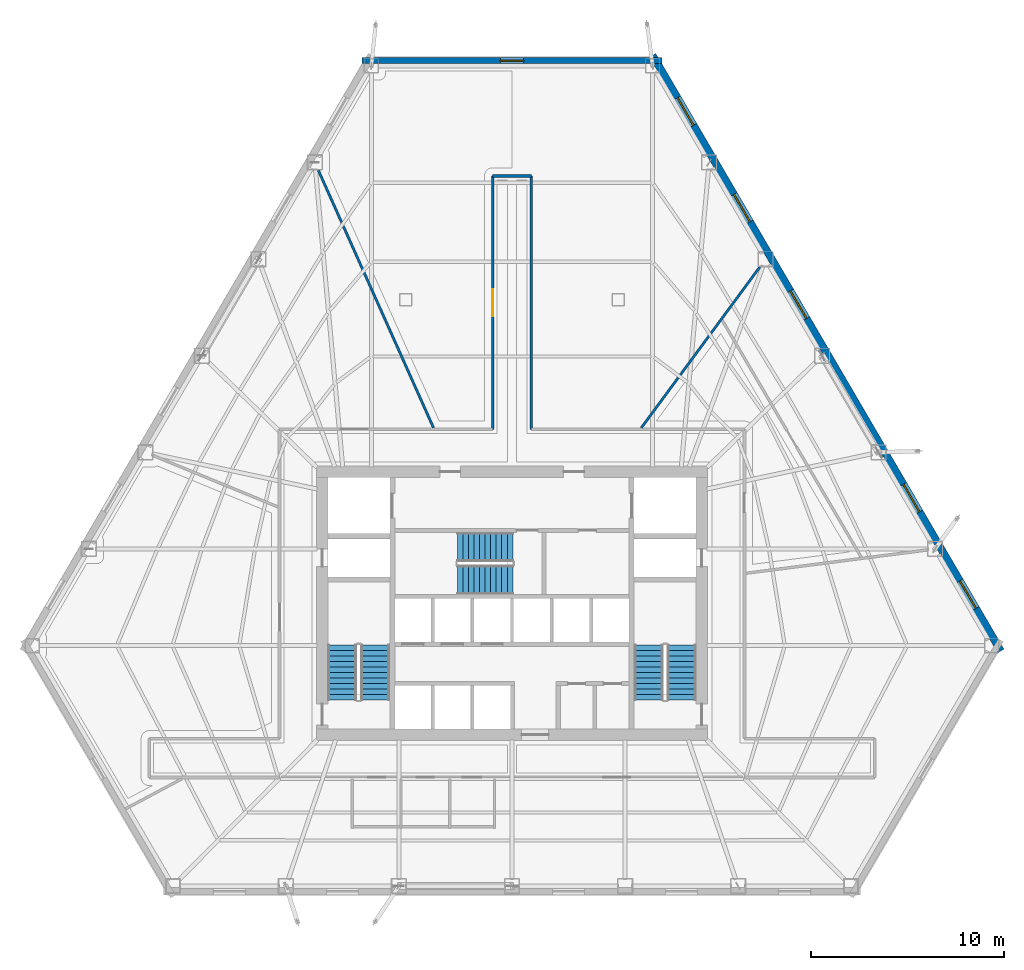
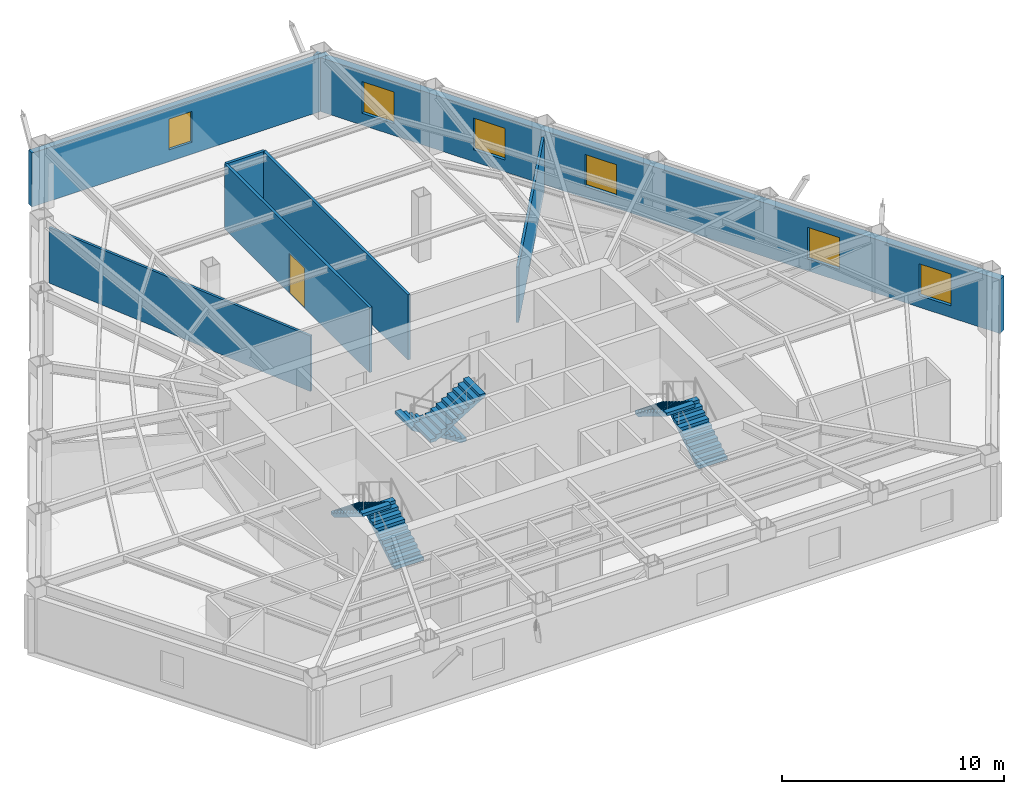
# One storey, part 9 of 13: 7 walls, 6 stair flights, 6 windows, 1 door, 7 openings, 3 elements without a shape of their own.
"""IFC4 building model written with IfcOpenShell, lengths in metres."""

from ifc_helpers import new_model, si_unit, direction, frame, frame_2d, origin, place, context, subcontext, project, spatial, polyline, rectangle, outline, extrude, material, layer, layer_set, type_object, element, fill, aggregate, save


model = new_model("IFC4")

# Units and contexts
model_context = context("Model", 3, precision=1e-05, world=origin(), true_north=direction((0.0, 1.0)))
body_context = subcontext(model_context, "Body", "Model", "MODEL_VIEW")
ifc_project = project(units=[si_unit("LENGTHUNIT", "METRE"), si_unit("AREAUNIT", "SQUARE_METRE"), si_unit("VOLUMEUNIT", "CUBIC_METRE"), si_unit("PLANEANGLEUNIT", "RADIAN"), si_unit("MASSUNIT", "GRAM", prefix="KILO")], contexts=[model_context])

# Site, building, storey
site_placement = place(None, origin())
site = spatial("IfcSite", under=ifc_project, at=site_placement, CompositionType="ELEMENT")
building_placement = place(site_placement, origin())
building = spatial("IfcBuilding", under=site, at=building_placement, Name="Kavelnor Concourse Tower", CompositionType="ELEMENT")
storey_placement = place(building_placement, frame((0.0, 0.0, 59.89990234375)))
storey = spatial("IfcBuildingStorey", under=building, at=storey_placement, Name="L15", CompositionType="ELEMENT", Elevation=59.89990234375)

# Wall, opening, window
ifc_material_1 = material(Name="Buff ironspot clay face brick masonry", Category="masonry")
ifc_layer_1 = layer(ifc_material_1, 0.300048828125, Name="Buff ironspot clay face brick masonry")
ifc_layer_set_1 = layer_set([ifc_layer_1], Name="Buff ironspot clay face brick masonry")
wall_type_1 = type_object("IfcWallType", Name="WL-EXT-BUFF-BRICK-FOLD-300", PredefinedType="STANDARD", material=ifc_layer_set_1)
wall_1_placement = place(storey_placement, frame((30.251220703125, 44.163818359375, 0.0), z_axis=(0.0, 0.0, 1.0), x_axis=(1.0, 0.0, 0.0)))
wall_1 = element("IfcWall", 1, at=wall_1_placement, inside=storey, type_object=wall_type_1, Name="L15 Exterior Brick Facade Wall E0", PredefinedType="STANDARD", context=body_context, shape_type="SweptSolid", body=[
    extrude(rectangle(XDim=15.49755859375, YDim=0.300048828125, at=frame_2d((7.748779296875, 0.0))), origin(), (0.0, 0.0, 1.0), 2.97021484375),
])
opening_1_placement = place(wall_1_placement, frame((7.148681640625, 0.0, 0.64990234375)))
opening_1 = element("IfcOpeningElement", 2, at=opening_1_placement, cuts=wall_1, Name="Opening W-05", PredefinedType="OPENING", context=body_context, shape_type="SweptSolid", body=[
    extrude(rectangle(XDim=1.199951171875, YDim=1.699951171875, at=frame_2d((0.60009765625, 0.85009765625))), frame((0.0, 0.16015625, 0.0), z_axis=(0.0, -1.0, 0.0), x_axis=(1.0, 0.0, 0.0)), (0.0, 0.0, 1.0), 0.320068359375),
])
ifc_material_2 = material(Name="Double low-E argon insulated glazing", Category="glass")
window_type_1 = type_object("IfcWindowType", Name="WIN-FOLD-1200", PartitioningType="SINGLE_PANEL", PredefinedType="WINDOW", material=ifc_material_2)
window_1_placement = place(opening_1_placement, origin())
window_1 = element("IfcWindow", 3, at=window_1_placement, inside=storey, type_object=window_type_1, Name="L15 Chamfer-Fold Facet Window C0", OverallHeight=1.699951171875, OverallWidth=1.199951171875, PartitioningType="SINGLE_PANEL", PredefinedType="WINDOW", context=body_context, shape_type="SweptSolid", body=[
    extrude(rectangle(XDim=1.199951171875, YDim=1.699951171875, at=frame_2d((0.60009765625, 0.85009765625))), frame((0.0, 0.030029296875, 0.0), z_axis=(0.0, -1.0, 0.0), x_axis=(1.0, 0.0, 0.0)), (0.0, 0.0, 1.0), 0.06005859375),
])
fill(opening_1, window_1)

# Wall, openings, windows
ifc_material_3 = material(Name="Red-ochre clay face brick masonry", Category="masonry")
ifc_layer_2 = layer(ifc_material_3, 0.3798828125, Name="Red-ochre clay face brick masonry")
ifc_layer_set_2 = layer_set([ifc_layer_2], Name="Red-ochre clay face brick masonry")
wall_type_2 = type_object("IfcWallType", Name="WL-EXT-RED-BRICK-PIER-380", PredefinedType="STANDARD", material=ifc_layer_set_2)
wall_2_placement = place(storey_placement, frame((45.2666015625, 44.4404296875, 0.0), z_axis=(0.0, 0.0, 1.0), x_axis=(0.504702471056, -0.863293354376, 0.0)))
wall_2 = element("IfcWall", 4, at=wall_2_placement, inside=storey, type_object=wall_type_2, Name="L15 Exterior Brick Facade Wall E5", PredefinedType="STANDARD", context=body_context, shape_type="SweptSolid", body=[
    extrude(rectangle(XDim=35.682373046875, YDim=0.3798828125, at=frame_2d((17.84130859375, 0.0))), origin(), (0.0, 0.0, 1.0), 2.97021484375),
])
opening_2_placement = place(wall_2_placement, frame((31.483154296875, 0.0, 0.64990234375)))
opening_2 = element("IfcOpeningElement", 5, at=opening_2_placement, cuts=wall_2, Name="Opening W-01", PredefinedType="OPENING", context=body_context, shape_type="SweptSolid", body=[
    extrude(rectangle(XDim=1.64990234375, YDim=1.75, at=frame_2d((0.824951171875, 0.875))), frame((0.0, 0.199951171875, 0.0), z_axis=(0.0, -1.0, 0.0), x_axis=(1.0, 0.0, 0.0)), (0.0, 0.0, 1.0), 0.39990234375),
])
opening_3_placement = place(wall_2_placement, frame((25.695556640625, 0.0, 0.64990234375)))
opening_3 = element("IfcOpeningElement", 6, at=opening_3_placement, cuts=wall_2, Name="Opening W-01", PredefinedType="OPENING", context=body_context, shape_type="SweptSolid", body=[
    extrude(rectangle(XDim=1.64990234375, YDim=1.75, at=frame_2d((0.824951171875, 0.875))), frame((0.0, 0.199951171875, 0.0), z_axis=(0.0, -1.0, 0.0), x_axis=(1.0, 0.0, 0.0)), (0.0, 0.0, 1.0), 0.39990234375),
])
opening_4_placement = place(wall_2_placement, frame((14.119873046875, 0.0, 0.64990234375)))
opening_4 = element("IfcOpeningElement", 7, at=opening_4_placement, cuts=wall_2, Name="Opening W-01", PredefinedType="OPENING", context=body_context, shape_type="SweptSolid", body=[
    extrude(rectangle(XDim=1.64990234375, YDim=1.75, at=frame_2d((0.824951171875, 0.875))), frame((0.0, 0.199951171875, 0.0), z_axis=(0.0, -1.0, 0.0), x_axis=(1.0, 0.0, 0.0)), (0.0, 0.0, 1.0), 0.39990234375),
])
opening_5_placement = place(wall_2_placement, frame((8.33203125, 0.0, 0.64990234375)))
opening_5 = element("IfcOpeningElement", 8, at=opening_5_placement, cuts=wall_2, Name="Opening W-01", PredefinedType="OPENING", context=body_context, shape_type="SweptSolid", body=[
    extrude(rectangle(XDim=1.64990234375, YDim=1.75, at=frame_2d((0.824951171875, 0.875))), frame((0.0, 0.199951171875, 0.0), z_axis=(0.0, -1.0, 0.0), x_axis=(1.0, 0.0, 0.0)), (0.0, 0.0, 1.0), 0.39990234375),
])
opening_6_placement = place(wall_2_placement, frame((2.544189453125, 0.0, 0.64990234375)))
opening_6 = element("IfcOpeningElement", 9, at=opening_6_placement, cuts=wall_2, Name="Opening W-01", PredefinedType="OPENING", context=body_context, shape_type="SweptSolid", body=[
    extrude(rectangle(XDim=1.64990234375, YDim=1.75, at=frame_2d((0.824951171875, 0.875))), frame((0.0, 0.199951171875, 0.0), z_axis=(0.0, -1.0, 0.0), x_axis=(1.0, 0.0, 0.0)), (0.0, 0.0, 1.0), 0.39990234375),
])
window_type_2 = type_object("IfcWindowType", Name="WIN-PIER-Z1-1800", PartitioningType="SINGLE_PANEL", PredefinedType="WINDOW", material=ifc_material_2)
window_2_placement = place(opening_2_placement, origin())
window_2 = element("IfcWindow", 10, at=window_2_placement, inside=storey, type_object=window_type_2, Name="L15 Deep-Set Brick Pier Window F2-B0", OverallHeight=1.75, OverallWidth=1.64990234375, PartitioningType="SINGLE_PANEL", PredefinedType="WINDOW", context=body_context, shape_type="SweptSolid", body=[
    extrude(rectangle(XDim=1.64990234375, YDim=1.75, at=frame_2d((0.824951171875, 0.875))), frame((0.0, 0.030029296875, 0.0), z_axis=(0.0, -1.0, 0.0), x_axis=(1.0, 0.0, 0.0)), (0.0, 0.0, 1.0), 0.06005859375),
])
fill(opening_2, window_2)
window_3_placement = place(opening_3_placement, origin())
window_3 = element("IfcWindow", 11, at=window_3_placement, inside=storey, type_object=window_type_2, Name="L15 Deep-Set Brick Pier Window F2-B1", OverallHeight=1.75, OverallWidth=1.64990234375, PartitioningType="SINGLE_PANEL", PredefinedType="WINDOW", context=body_context, shape_type="SweptSolid", body=[
    extrude(rectangle(XDim=1.64990234375, YDim=1.75, at=frame_2d((0.824951171875, 0.875))), frame((0.0, 0.030029296875, 0.0), z_axis=(0.0, -1.0, 0.0), x_axis=(1.0, 0.0, 0.0)), (0.0, 0.0, 1.0), 0.06005859375),
])
fill(opening_3, window_3)
window_4_placement = place(opening_4_placement, origin())
window_4 = element("IfcWindow", 12, at=window_4_placement, inside=storey, type_object=window_type_2, Name="L15 Deep-Set Brick Pier Window F2-B3", OverallHeight=1.75, OverallWidth=1.64990234375, PartitioningType="SINGLE_PANEL", PredefinedType="WINDOW", context=body_context, shape_type="SweptSolid", body=[
    extrude(rectangle(XDim=1.64990234375, YDim=1.75, at=frame_2d((0.824951171875, 0.875))), frame((0.0, 0.030029296875, 0.0), z_axis=(0.0, -1.0, 0.0), x_axis=(1.0, 0.0, 0.0)), (0.0, 0.0, 1.0), 0.06005859375),
])
fill(opening_4, window_4)
window_5_placement = place(opening_5_placement, origin())
window_5 = element("IfcWindow", 13, at=window_5_placement, inside=storey, type_object=window_type_2, Name="L15 Deep-Set Brick Pier Window F2-B4", OverallHeight=1.75, OverallWidth=1.64990234375, PartitioningType="SINGLE_PANEL", PredefinedType="WINDOW", context=body_context, shape_type="SweptSolid", body=[
    extrude(rectangle(XDim=1.64990234375, YDim=1.75, at=frame_2d((0.824951171875, 0.875))), frame((0.0, 0.030029296875, 0.0), z_axis=(0.0, -1.0, 0.0), x_axis=(1.0, 0.0, 0.0)), (0.0, 0.0, 1.0), 0.06005859375),
])
fill(opening_5, window_5)
window_6_placement = place(opening_6_placement, origin())
window_6 = element("IfcWindow", 14, at=window_6_placement, inside=storey, type_object=window_type_2, Name="L15 Deep-Set Brick Pier Window F2-B5", OverallHeight=1.75, OverallWidth=1.64990234375, PartitioningType="SINGLE_PANEL", PredefinedType="WINDOW", context=body_context, shape_type="SweptSolid", body=[
    extrude(rectangle(XDim=1.64990234375, YDim=1.75, at=frame_2d((0.824951171875, 0.875))), frame((0.0, 0.030029296875, 0.0), z_axis=(0.0, -1.0, 0.0), x_axis=(1.0, 0.0, 0.0)), (0.0, 0.0, 1.0), 0.06005859375),
])
fill(opening_6, window_6)

# Wall, opening, door
ifc_material_4 = material(Name="Gypsum plasterboard on light-gauge steel studs", Category="steel")
ifc_layer_3 = layer(ifc_material_4, 0.14501953125, Name="Gypsum plasterboard on light-gauge steel studs")
ifc_layer_set_3 = layer_set([ifc_layer_3], Name="Gypsum plasterboard on light-gauge steel studs")
wall_type_3 = type_object("IfcWallType", Name="WL-INT-CORR-145", PredefinedType="PARTITIONING", material=ifc_layer_set_3)
wall_3_placement = place(storey_placement, frame((37.0, 25.10009765625, 0.0), z_axis=(0.0, 0.0, 1.0), x_axis=(0.0, 1.0, 0.0)))
wall_3 = element("IfcWall", 15, at=wall_3_placement, inside=storey, type_object=wall_type_3, Name="L15 Corridor Wall WL-L15-CR-04", PredefinedType="PARTITIONING", context=body_context, shape_type="SweptSolid", body=[
    extrude(rectangle(XDim=13.099853515625, YDim=0.14501953125, at=frame_2d((6.5498046875, 0.0))), origin(), (0.0, 0.0, 1.0), 3.590087890625),
])
opening_7_placement = place(wall_3_placement, frame((5.85009765625, 0.0, 0.0)))
opening_7 = element("IfcOpeningElement", 16, at=opening_7_placement, cuts=wall_3, Name="Opening SD-140", PredefinedType="OPENING", context=body_context, shape_type="SweptSolid", body=[
    extrude(rectangle(XDim=1.39990234375, YDim=2.199951171875, at=frame_2d((0.699951171875, 1.10009765625))), frame((0.0, 0.08251953125, 0.0), z_axis=(0.0, -1.0, 0.0), x_axis=(1.0, 0.0, 0.0)), (0.0, 0.0, 1.0), 0.1650390625),
])
ifc_material_5 = material(Name="Solid-core hardwood timber", Category="wood")
door_type = type_object("IfcDoorType", Name="DR-SUITE-ENTRY-1400", OperationType="NOTDEFINED", PredefinedType="DOOR", material=ifc_material_5)
door_placement = place(opening_7_placement, origin())
door = element("IfcDoor", 17, at=door_placement, inside=storey, type_object=door_type, Name="L15 Tenant Bookstore Retail Shop 03 Door", OperationType="SINGLE_SWING_LEFT", OverallHeight=2.199951171875, OverallWidth=1.39990234375, PredefinedType="DOOR", context=body_context, shape_type="SweptSolid", body=[
    extrude(rectangle(XDim=1.39990234375, YDim=2.199951171875, at=frame_2d((0.699951171875, 1.10009765625))), frame((0.0, 0.02490234375, 0.0), z_axis=(0.0, -1.0, 0.0), x_axis=(1.0, 0.0, 0.0)), (0.0, 0.0, 1.0), 0.050048828125),
])
fill(opening_7, door)

# Walls
wall_4_placement = place(storey_placement, frame((37.0, 38.199951171875, 0.0), z_axis=(0.0, 0.0, 1.0), x_axis=(1.0, 0.0, 0.0)))
element("IfcWall", 18, at=wall_4_placement, inside=storey, type_object=wall_type_3, Name="L15 Corridor Wall WL-L15-CR-05", PredefinedType="PARTITIONING", context=body_context, shape_type="SweptSolid", body=[
    extrude(rectangle(XDim=2.0, YDim=0.14501953125, at=frame_2d((1.0, 0.0))), origin(), (0.0, 0.0, 1.0), 3.590087890625),
])
wall_5_placement = place(storey_placement, frame((39.0, 38.199951171875, 0.0), z_axis=(0.0, 0.0, 1.0), x_axis=(0.0, -1.0, 0.0)))
element("IfcWall", 19, at=wall_5_placement, inside=storey, type_object=wall_type_3, Name="L15 Corridor Wall WL-L15-CR-06", PredefinedType="PARTITIONING", context=body_context, shape_type="SweptSolid", body=[
    extrude(rectangle(XDim=13.099853515625, YDim=0.14501953125, at=frame_2d((6.5498046875, 0.0))), origin(), (0.0, 0.0, 1.0), 3.590087890625),
])
ifc_layer_4 = layer(ifc_material_4, 0.125, Name="Gypsum plasterboard on light-gauge steel studs")
ifc_layer_set_4 = layer_set([ifc_layer_4], Name="Gypsum plasterboard on light-gauge steel studs")
wall_type_4 = type_object("IfcWallType", Name="WL-INT-SUITE-125", PredefinedType="PARTITIONING", material=ifc_layer_set_4)
wall_6_placement = place(storey_placement, frame((44.6904296875, 25.180419921875, 0.0), z_axis=(0.0, 0.0, 1.0), x_axis=(0.5931796797, 0.805070101042, 0.0)))
element("IfcWall", 20, at=wall_6_placement, inside=storey, type_object=wall_type_4, Name="L15 Radial Suite Partition 02", PredefinedType="PARTITIONING", context=body_context, shape_type="SweptSolid", body=[
    extrude(rectangle(XDim=10.324951171875, YDim=0.125, at=frame_2d((5.16259765625, 0.0))), origin(), (0.0, 0.0, 1.0), 3.05712890625),
])
wall_7_placement = place(storey_placement, frame((33.939453125, 25.180419921875, 0.0), z_axis=(0.0, 0.0, 1.0), x_axis=(-0.408221011752, 0.912883128097, 0.0)))
element("IfcWall", 21, at=wall_7_placement, inside=storey, type_object=wall_type_4, Name="L15 Radial Suite Partition 03", PredefinedType="PARTITIONING", context=body_context, shape_type="SweptSolid", body=[
    extrude(rectangle(XDim=14.578857421875, YDim=0.125, at=frame_2d((7.28955078125, 0.0))), origin(), (0.0, 0.0, 1.0), 3.05712890625),
])

# Stair, stair flights
ifc_material_6 = material(Name="Concrete C40/50", Category="concrete")
stair_type = type_object("IfcStairType", Name="STR-CORE-1500", PredefinedType="HALF_TURN_STAIR", material=ifc_material_6)
stair_1_placement = place(storey_placement, origin())
stair_1 = element("IfcStair", 22, at=stair_1_placement, inside=storey, type_object=stair_type, Name="L15 ST1", PredefinedType="HALF_TURN_STAIR")
stair_flight_type = type_object("IfcStairFlightType", Name="STR-FLIGHT-1500", PredefinedType="STRAIGHT", material=ifc_material_6)
stair_flight_1_placement = place(storey_placement, frame((30.929931640625, 11.10009765625, 0.0), z_axis=(0.0, 0.0, 1.0), x_axis=(0.0, 1.0, 0.0)))
stair_flight_1 = element("IfcStairFlight", 23, at=stair_flight_1_placement, type_object=stair_flight_type, Name="ST1 flight 1", NumberOfRisers=11, NumberOfTreads=10, PredefinedType="STRAIGHT", RiserHeight=0.175, TreadLength=0.285, context=body_context, shape_type="SweptSolid", body=[
    extrude(outline(polyline([(0.0, 0.0), (0.0, 0.175048828125), (0.284912109375, 0.175048828125), (0.284912109375, 0.35009765625), (0.570068359375, 0.35009765625), (0.570068359375, 0.52490234375), (0.85498046875, 0.52490234375), (0.85498046875, 0.699951171875), (1.139892578125, 0.699951171875), (1.139892578125, 0.875), (1.425048828125, 0.875), (1.425048828125, 1.050048828125), (1.7099609375, 1.050048828125), (1.7099609375, 1.22509765625), (1.9951171875, 1.22509765625), (1.9951171875, 1.39990234375), (2.280029296875, 1.39990234375), (2.280029296875, 1.574951171875), (2.56494140625, 1.574951171875), (2.56494140625, 1.75), (2.85009765625, 1.75), (2.85009765625, 1.925048828125), (2.85009765625, 1.573974609375), (0.286376953125, 0.0), (0.0, 0.0)])), frame((0.0, 0.75, 0.0), z_axis=(0.0, -1.0, 0.0), x_axis=(1.0, 0.0, 0.0)), (0.0, 0.0, 1.0), 1.5),
])
stair_flight_2_placement = place(storey_placement, frame((29.22998046875, 13.949951171875, 1.925048828125), z_axis=(0.0, 0.0, 1.0), x_axis=(0.0, -1.0, 0.0)))
stair_flight_2 = element("IfcStairFlight", 24, at=stair_flight_2_placement, type_object=stair_flight_type, Name="ST1 flight 2", NumberOfRisers=11, NumberOfTreads=10, PredefinedType="STRAIGHT", RiserHeight=0.175, TreadLength=0.285, context=body_context, shape_type="SweptSolid", body=[
    extrude(outline(polyline([(0.0, 0.0), (0.0, 0.175048828125), (0.284912109375, 0.175048828125), (0.284912109375, 0.35009765625), (0.570068359375, 0.35009765625), (0.570068359375, 0.52490234375), (0.85498046875, 0.52490234375), (0.85498046875, 0.699951171875), (1.139892578125, 0.699951171875), (1.139892578125, 0.875), (1.425048828125, 0.875), (1.425048828125, 1.050048828125), (1.7099609375, 1.050048828125), (1.7099609375, 1.22509765625), (1.9951171875, 1.22509765625), (1.9951171875, 1.39990234375), (2.280029296875, 1.39990234375), (2.280029296875, 1.574951171875), (2.56494140625, 1.574951171875), (2.56494140625, 1.75), (2.85009765625, 1.75), (2.85009765625, 1.925048828125), (2.85009765625, 1.573974609375), (0.286376953125, 0.0), (0.0, 0.0)])), frame((0.0, 0.75, 0.0), z_axis=(0.0, -1.0, 0.0), x_axis=(1.0, 0.0, 0.0)), (0.0, 0.0, 1.0), 1.5),
])
aggregate(stair_1, [stair_flight_1, stair_flight_2])

stair_2_placement = place(storey_placement, origin())
stair_2 = element("IfcStair", 25, at=stair_2_placement, inside=storey, type_object=stair_type, Name="L15 ST2", PredefinedType="HALF_TURN_STAIR")
stair_flight_3_placement = place(storey_placement, frame((46.77001953125, 11.10009765625, 0.0), z_axis=(0.0, 0.0, 1.0), x_axis=(0.0, 1.0, 0.0)))
stair_flight_3 = element("IfcStairFlight", 26, at=stair_flight_3_placement, type_object=stair_flight_type, Name="ST2 flight 1", NumberOfRisers=11, NumberOfTreads=10, PredefinedType="STRAIGHT", RiserHeight=0.175, TreadLength=0.285, context=body_context, shape_type="SweptSolid", body=[
    extrude(outline(polyline([(0.0, 0.0), (0.0, 0.175048828125), (0.284912109375, 0.175048828125), (0.284912109375, 0.35009765625), (0.570068359375, 0.35009765625), (0.570068359375, 0.52490234375), (0.85498046875, 0.52490234375), (0.85498046875, 0.699951171875), (1.139892578125, 0.699951171875), (1.139892578125, 0.875), (1.425048828125, 0.875), (1.425048828125, 1.050048828125), (1.7099609375, 1.050048828125), (1.7099609375, 1.22509765625), (1.9951171875, 1.22509765625), (1.9951171875, 1.39990234375), (2.280029296875, 1.39990234375), (2.280029296875, 1.574951171875), (2.56494140625, 1.574951171875), (2.56494140625, 1.75), (2.85009765625, 1.75), (2.85009765625, 1.925048828125), (2.85009765625, 1.573974609375), (0.286376953125, 0.0), (0.0, 0.0)])), frame((0.0, 0.75, 0.0), z_axis=(0.0, -1.0, 0.0), x_axis=(1.0, 0.0, 0.0)), (0.0, 0.0, 1.0), 1.5),
])
stair_flight_4_placement = place(storey_placement, frame((45.070068359375, 13.949951171875, 1.925048828125), z_axis=(0.0, 0.0, 1.0), x_axis=(0.0, -1.0, 0.0)))
stair_flight_4 = element("IfcStairFlight", 27, at=stair_flight_4_placement, type_object=stair_flight_type, Name="ST2 flight 2", NumberOfRisers=11, NumberOfTreads=10, PredefinedType="STRAIGHT", RiserHeight=0.175, TreadLength=0.285, context=body_context, shape_type="SweptSolid", body=[
    extrude(outline(polyline([(0.0, 0.0), (0.0, 0.175048828125), (0.284912109375, 0.175048828125), (0.284912109375, 0.35009765625), (0.570068359375, 0.35009765625), (0.570068359375, 0.52490234375), (0.85498046875, 0.52490234375), (0.85498046875, 0.699951171875), (1.139892578125, 0.699951171875), (1.139892578125, 0.875), (1.425048828125, 0.875), (1.425048828125, 1.050048828125), (1.7099609375, 1.050048828125), (1.7099609375, 1.22509765625), (1.9951171875, 1.22509765625), (1.9951171875, 1.39990234375), (2.280029296875, 1.39990234375), (2.280029296875, 1.574951171875), (2.56494140625, 1.574951171875), (2.56494140625, 1.75), (2.85009765625, 1.75), (2.85009765625, 1.925048828125), (2.85009765625, 1.573974609375), (0.286376953125, 0.0), (0.0, 0.0)])), frame((0.0, 0.75, 0.0), z_axis=(0.0, -1.0, 0.0), x_axis=(1.0, 0.0, 0.0)), (0.0, 0.0, 1.0), 1.5),
])
aggregate(stair_2, [stair_flight_3, stair_flight_4])

stair_3_placement = place(storey_placement, origin())
stair_3 = element("IfcStair", 28, at=stair_3_placement, inside=storey, type_object=stair_type, Name="L15 ST3", PredefinedType="HALF_TURN_STAIR")
stair_flight_5_placement = place(storey_placement, frame((38.0400390625, 19.010009765625, 0.0), z_axis=(0.0, 0.0, 1.0), x_axis=(-1.0, 0.0, 0.0)))
stair_flight_5 = element("IfcStairFlight", 29, at=stair_flight_5_placement, type_object=stair_flight_type, Name="ST3 flight 1", NumberOfRisers=11, NumberOfTreads=10, PredefinedType="STRAIGHT", RiserHeight=0.175, TreadLength=0.285, context=body_context, shape_type="SweptSolid", body=[
    extrude(outline(polyline([(0.0, 0.0), (0.0, 0.175048828125), (0.284912109375, 0.175048828125), (0.284912109375, 0.35009765625), (0.570068359375, 0.35009765625), (0.570068359375, 0.52490234375), (0.85498046875, 0.52490234375), (0.85498046875, 0.699951171875), (1.139892578125, 0.699951171875), (1.139892578125, 0.875), (1.425048828125, 0.875), (1.425048828125, 1.050048828125), (1.7099609375, 1.050048828125), (1.7099609375, 1.22509765625), (1.9951171875, 1.22509765625), (1.9951171875, 1.39990234375), (2.280029296875, 1.39990234375), (2.280029296875, 1.574951171875), (2.56494140625, 1.574951171875), (2.56494140625, 1.75), (2.85009765625, 1.75), (2.85009765625, 1.925048828125), (2.85009765625, 1.573974609375), (0.286376953125, 0.0), (0.0, 0.0)])), frame((0.0, 0.75, 0.0), z_axis=(0.0, -1.0, 0.0), x_axis=(1.0, 0.0, 0.0)), (0.0, 0.0, 1.0), 1.5),
])
stair_flight_6_placement = place(storey_placement, frame((35.18994140625, 17.31005859375, 1.925048828125), z_axis=(0.0, 0.0, 1.0), x_axis=(1.0, 0.0, 0.0)))
stair_flight_6 = element("IfcStairFlight", 30, at=stair_flight_6_placement, type_object=stair_flight_type, Name="ST3 flight 2", NumberOfRisers=11, NumberOfTreads=10, PredefinedType="STRAIGHT", RiserHeight=0.175, TreadLength=0.285, context=body_context, shape_type="SweptSolid", body=[
    extrude(outline(polyline([(0.0, 0.0), (0.0, 0.175048828125), (0.284912109375, 0.175048828125), (0.284912109375, 0.35009765625), (0.570068359375, 0.35009765625), (0.570068359375, 0.52490234375), (0.85498046875, 0.52490234375), (0.85498046875, 0.699951171875), (1.139892578125, 0.699951171875), (1.139892578125, 0.875), (1.425048828125, 0.875), (1.425048828125, 1.050048828125), (1.7099609375, 1.050048828125), (1.7099609375, 1.22509765625), (1.9951171875, 1.22509765625), (1.9951171875, 1.39990234375), (2.280029296875, 1.39990234375), (2.280029296875, 1.574951171875), (2.56494140625, 1.574951171875), (2.56494140625, 1.75), (2.85009765625, 1.75), (2.85009765625, 1.925048828125), (2.85009765625, 1.573974609375), (0.286376953125, 0.0), (0.0, 0.0)])), frame((0.0, 0.75, 0.0), z_axis=(0.0, -1.0, 0.0), x_axis=(1.0, 0.0, 0.0)), (0.0, 0.0, 1.0), 1.5),
])
aggregate(stair_3, [stair_flight_5, stair_flight_6])

save(model, "model.ifc")
